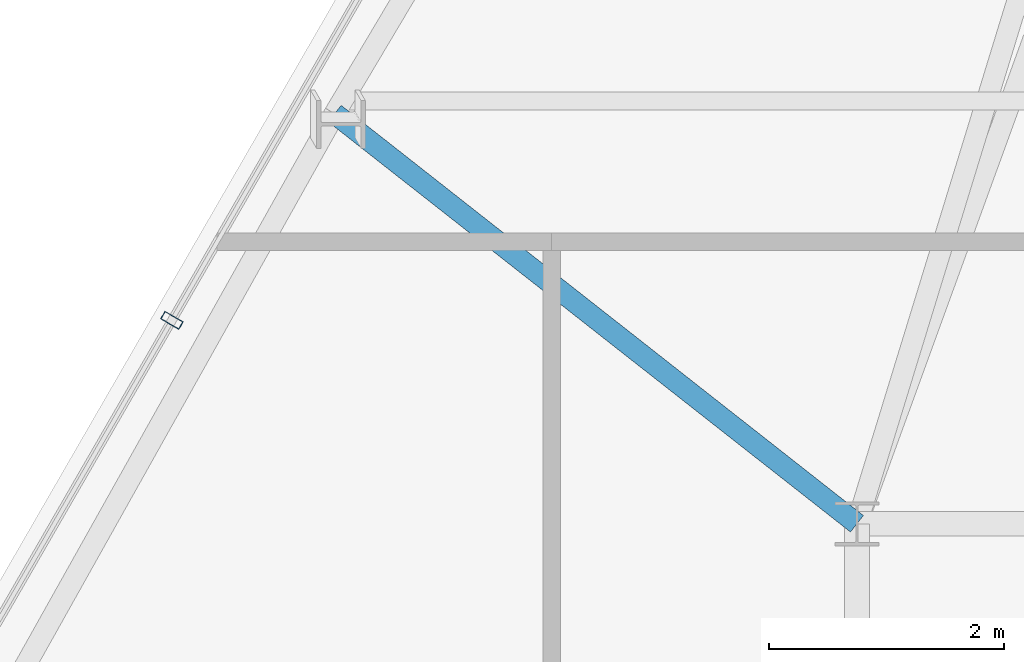
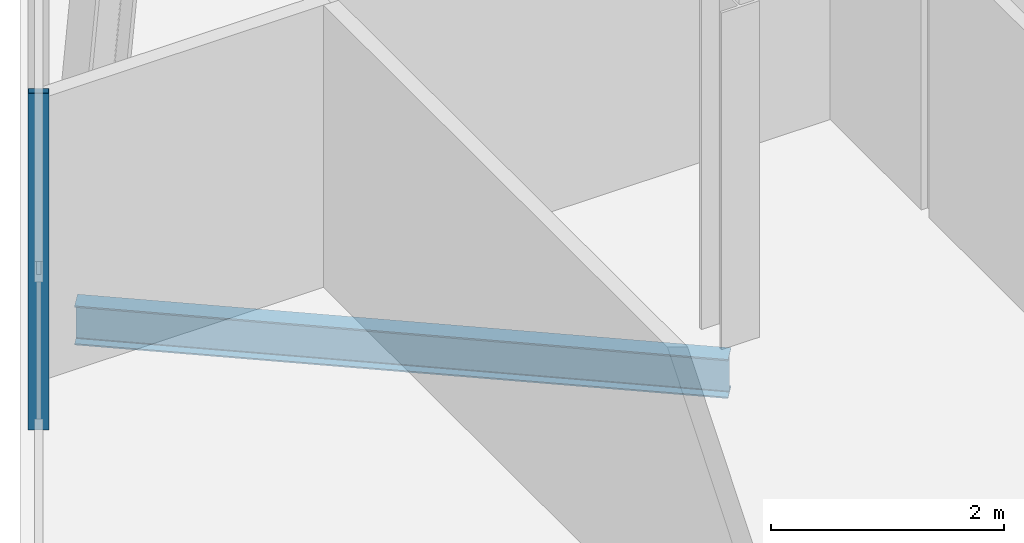
# One storey, part 13 of 35: 1 beam, 1 member, 1 element without a shape of its own.
"""IFC4 building model written with IfcOpenShell, lengths in metres."""

from ifc_helpers import new_model, si_unit, direction, frame, origin, origin_2d, place, context, subcontext, project, spatial, hollow_rectangle, i_section, extrude, material, layer, layer_set, material_profile, profile_set, type_object, element, aggregate, save


model = new_model("IFC4")

# Units and contexts
model_context = context("Model", 3, precision=1e-05, world=origin(), true_north=direction((0.0, 1.0)))
body_context = subcontext(model_context, "Body", "Model", "MODEL_VIEW")
ifc_project = project(units=[si_unit("LENGTHUNIT", "METRE"), si_unit("AREAUNIT", "SQUARE_METRE"), si_unit("VOLUMEUNIT", "CUBIC_METRE"), si_unit("PLANEANGLEUNIT", "RADIAN"), si_unit("MASSUNIT", "GRAM", prefix="KILO")], contexts=[model_context])

# Site, building, storey
site_placement = place(None, origin())
site = spatial("IfcSite", under=ifc_project, at=site_placement, CompositionType="ELEMENT")
building_placement = place(site_placement, origin())
building = spatial("IfcBuilding", under=site, at=building_placement, Name="Ndaravel Arena Tower", CompositionType="ELEMENT")
storey_placement = place(building_placement, frame((0.0, 0.0, 275.0)))
storey = spatial("IfcBuildingStorey", under=building, at=storey_placement, Name="L67", CompositionType="ELEMENT", Elevation=275.0)

# Beam
ifc_material_1 = material(Name="Steel S355", Category="steel")
ifc_material_profile_1 = material_profile(ifc_material_1, i_section(OverallWidth=0.1787109375, OverallDepth=0.409423828125, WebThickness=0.0087890625, FlangeThickness=0.014404296875, FilletRadius=0.01025390625, at=origin_2d()), Name="UB 406x178x67")
ifc_profile_set_1 = profile_set([ifc_material_profile_1], Name="Steel S355")
beam_type = type_object("IfcBeamType", Name="BM-GIRD-UB406", PredefinedType="BEAM", material=ifc_profile_set_1)
beam_placement = place(storey_placement, frame((29.752685546875, 26.69287109375, -0.4248046875), z_axis=(0.78643517724, -0.617672819541, 0.0), x_axis=(0.617672819541, 0.78643517724, 0.0)))
element("IfcBeam", 1, at=beam_placement, inside=storey, type_object=beam_type, Name="L67 Radial Floor Girder FG-19", PredefinedType="BEAM", context=body_context, shape_type="SweptSolid", body=[
    extrude(i_section(OverallWidth=0.1787109375, OverallDepth=0.409423828125, WebThickness=0.0087890625, FlangeThickness=0.014404296875, FilletRadius=0.01025390625, at=origin_2d()), origin(), (0.0, 0.0, 1.0), 5.655029296875),
])

# Curtain wall, member
ifc_material_2 = material(Name="Aluminium", Category="aluminium")
ifc_layer = layer(ifc_material_2, 0.179931640625)
ifc_layer_set = layer_set([ifc_layer], Name="Aluminium")
curtain_wall_type = type_object("IfcCurtainWallType", Name="CW-SYS-03", PredefinedType="NOTDEFINED", material=ifc_layer_set)
curtain_wall_placement = place(storey_placement, origin())
curtain_wall = element("IfcCurtainWall", 2, at=curtain_wall_placement, inside=storey, type_object=curtain_wall_type, Name="L67 Faceted Crystal Curtain Wall CW-L67-E05", PredefinedType="NOTDEFINED")
ifc_material_3 = material(Name="Aluminium", Category="aluminium")
ifc_material_profile_2 = material_profile(ifc_material_3, hollow_rectangle(XDim=0.074951171875, YDim=0.179931640625, WallThickness=0.00390625, at=origin_2d()), Name="CW MULLION 75x180x4")
ifc_profile_set_2 = profile_set([ifc_material_profile_2], Name="Aluminium")
member_type = type_object("IfcMemberType", Name="MEM-CW-MUL180", PredefinedType="MULLION", material=ifc_profile_set_2)
member_placement = place(storey_placement, frame((28.36669921875, 24.932373046875, 0.0), z_axis=(0.0, 0.0, 1.0), x_axis=(-0.5, -0.866025403784, 0.0)))
member = element("IfcMember", 3, at=member_placement, type_object=member_type, Name="CW-L67-E05 Mullion 05", PredefinedType="MULLION", context=body_context, shape_type="SweptSolid", body=[
    extrude(hollow_rectangle(XDim=0.074951171875, YDim=0.179931640625, WallThickness=0.00390625, at=origin_2d()), origin(), (0.0, 0.0, 1.0), 3.52001953125),
])
aggregate(curtain_wall, [member])

save(model, "model.ifc")
